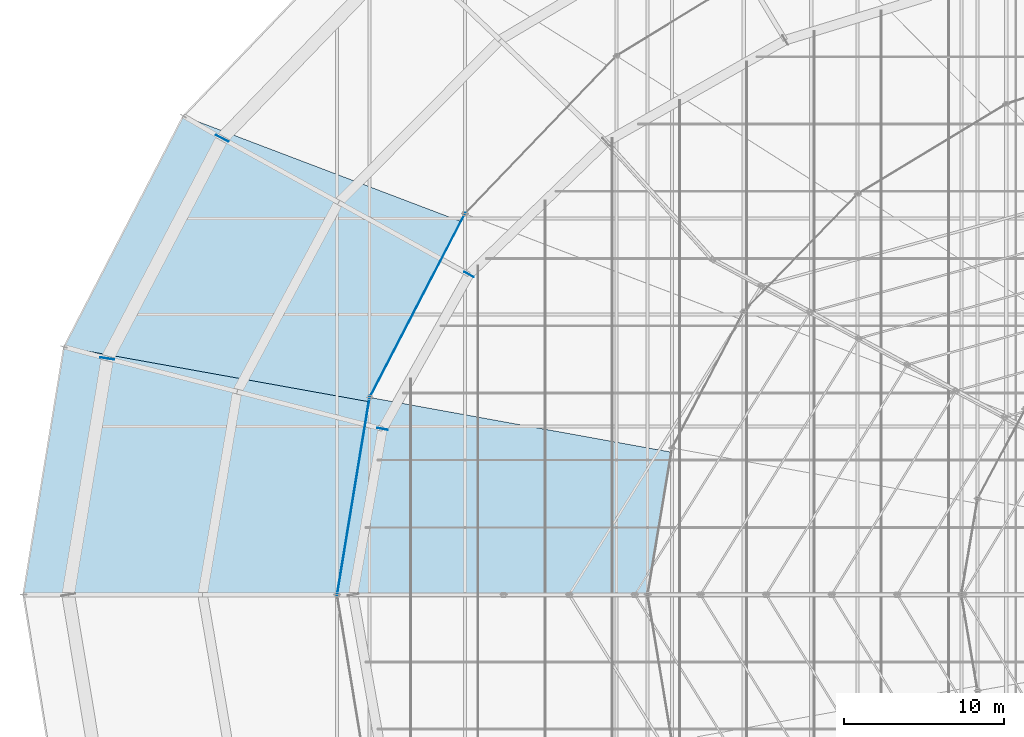
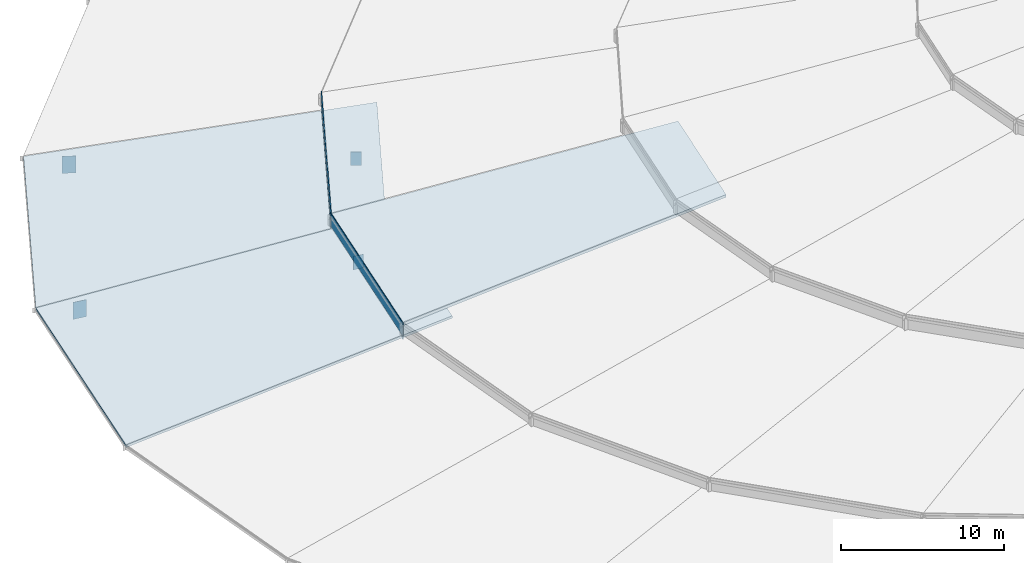
# One storey, part 146 of 184: 6 plates, 3 slabs.
"""IFC4 building model written with IfcOpenShell, lengths in metres."""

from ifc_helpers import new_model, si_unit, direction, frame, origin, origin_2d, place, context, subcontext, project, spatial, polyline, rectangle, outline, extrude, material, layer, layer_set, type_object, element, save


model = new_model("IFC4")

# Units and contexts
model_context = context("Model", 3, precision=1e-05, world=origin(), true_north=direction((0.0, 1.0)))
body_context = subcontext(model_context, "Body", "Model", "MODEL_VIEW")
ifc_project = project(units=[si_unit("LENGTHUNIT", "METRE"), si_unit("AREAUNIT", "SQUARE_METRE"), si_unit("VOLUMEUNIT", "CUBIC_METRE"), si_unit("PLANEANGLEUNIT", "RADIAN"), si_unit("MASSUNIT", "GRAM", prefix="KILO")], contexts=[model_context])

# Site, building, storey
site_placement = place(None, origin())
site = spatial("IfcSite", under=ifc_project, at=site_placement, CompositionType="ELEMENT")
building_placement = place(site_placement, origin())
building = spatial("IfcBuilding", under=site, at=building_placement, Name="Kalgoora Escarpment Arena", CompositionType="ELEMENT")
storey_placement = place(building_placement, frame((0.0, 0.0, 27.60009765625)))
storey = spatial("IfcBuildingStorey", under=building, at=storey_placement, Name="Roof Level", CompositionType="ELEMENT", Elevation=27.60009765625)

# Plates
ifc_material_1 = material(Name="Low-E double-glazed petal clerestory glass", Category="glass")
ifc_layer_1 = layer(ifc_material_1, 0.035888671875)
ifc_layer_set_1 = layer_set([ifc_layer_1], Name="PLT-PETAL-CLERESTORY")
plate_type_1 = type_object("IfcPlateType", Name="PLT-PETAL-CLERESTORY", PredefinedType="USERDEFINED", material=ifc_layer_set_1)
plate_1_placement = place(storey_placement, frame((42.40771484375, 82.059814453125, 0.260009765625), z_axis=(0.0, 0.0, 1.0), x_axis=(-0.46035473079, -0.8877350516, 0.0)))
element("IfcPlate", 1, at=plate_1_placement, inside=storey, type_object=plate_type_1, Name="Petal RP2 glazed clerestory collar panel S11", ObjectType="CLERESTORY PANEL", PredefinedType="USERDEFINED", context=body_context, shape_type="SweptSolid", body=[
    extrude(rectangle(XDim=13.12646484375, YDim=0.0400390625, at=origin_2d()), origin(), (0.0, 0.0, 1.0), 1.25),
])
plate_2_placement = place(storey_placement, frame((38.415283203125, 70.159912109375, 0.260009765625), z_axis=(0.0, 0.0, 1.0), x_axis=(-0.162637165195, -0.986685944208, 0.0)))
element("IfcPlate", 2, at=plate_2_placement, inside=storey, type_object=plate_type_1, Name="Petal RP2 glazed clerestory collar panel S12", ObjectType="CLERESTORY PANEL", PredefinedType="USERDEFINED", context=body_context, shape_type="SweptSolid", body=[
    extrude(rectangle(XDim=12.67333984375, YDim=0.0400390625, at=origin_2d()), origin(), (0.0, 0.0, 1.0), 1.25),
])
ifc_material_2 = material(Name="Structural steel Grade 350 (350 MPa)", Category="steel")
ifc_layer_2 = layer(ifc_material_2, 0.031982421875)
ifc_layer_set_2 = layer_set([ifc_layer_2], Name="PLT-RING-DIAPH")
plate_type_2 = type_object("IfcPlateType", Name="PLT-RING-DIAPH", PredefinedType="USERDEFINED", material=ifc_layer_set_2)
plate_3_placement = place(storey_placement, frame((30.219482421875, 92.5, -2.09033203125), z_axis=(0.0, 0.0, 1.0), x_axis=(-0.462522500293, -0.8866075438, 0.0)))
element("IfcPlate", 3, at=plate_3_placement, inside=storey, type_object=plate_type_2, Name="Compression ring node diaphragm plate 11", ObjectType="FLANGE PLATE", PredefinedType="USERDEFINED", context=body_context, shape_type="SweptSolid", body=[
    extrude(rectangle(XDim=0.031982421875, YDim=0.8798828125, at=origin_2d()), origin(), (0.0, 0.0, 1.0), 1.280029296875),
])
plate_4_placement = place(storey_placement, frame((45.634521484375, 84.0, -1.760009765625), z_axis=(0.0, 0.0, 1.0), x_axis=(-0.488012005351, -0.872836916401, 0.0)))
element("IfcPlate", 4, at=plate_4_placement, inside=storey, type_object=plate_type_2, Name="Inner ring node diaphragm plate 11", ObjectType="FLANGE PLATE", PredefinedType="USERDEFINED", context=body_context, shape_type="SweptSolid", body=[
    extrude(rectangle(XDim=0.031982421875, YDim=0.679931640625, at=origin_2d()), origin(), (0.0, 0.0, 1.0), 1.02001953125),
])
plate_5_placement = place(storey_placement, frame((23.04638671875, 78.752685546875, -2.09033203125), z_axis=(0.0, 0.0, 1.0), x_axis=(-0.163670330935, -0.986515089987, 0.0)))
element("IfcPlate", 5, at=plate_5_placement, inside=storey, type_object=plate_type_2, Name="Compression ring node diaphragm plate 12", ObjectType="FLANGE PLATE", PredefinedType="USERDEFINED", context=body_context, shape_type="SweptSolid", body=[
    extrude(rectangle(XDim=0.031982421875, YDim=0.8798828125, at=origin_2d()), origin(), (0.0, 0.0, 1.0), 1.280029296875),
])
plate_6_placement = place(storey_placement, frame((40.239990234375, 74.352783203125, -1.760009765625), z_axis=(0.0, 0.0, 1.0), x_axis=(-0.175023058975, -0.984564334529, 0.0)))
element("IfcPlate", 6, at=plate_6_placement, inside=storey, type_object=plate_type_2, Name="Inner ring node diaphragm plate 12", ObjectType="FLANGE PLATE", PredefinedType="USERDEFINED", context=body_context, shape_type="SweptSolid", body=[
    extrude(rectangle(XDim=0.031982421875, YDim=0.679931640625, at=origin_2d()), origin(), (0.0, 0.0, 1.0), 1.02001953125),
])

# Slabs
ifc_material_3 = material(Name="White acoustic composite Concrete N40 (fc' 40 MPa)", Category="concrete")
ifc_layer_3 = layer(ifc_material_3, 0.179931640625)
ifc_layer_set_3 = layer_set([ifc_layer_3], Name="SLB-PETAL-RP1")
slab_type_1 = type_object("IfcSlabType", Name="SLB-PETAL-RP1", PredefinedType="ROOF", material=ifc_layer_set_3)
slab_1_placement = place(storey_placement, frame((27.79443359375, 93.89990234375, -0.840087890625), z_axis=(-0.064954242694, 0.033563603552, 0.997323633969), x_axis=(-0.459066519017, -0.888401897295, -3.4995e-07)))
element("IfcSlab", 7, at=slab_1_placement, inside=storey, type_object=slab_type_1, Name="Shifted white roof petal RP1 sector 11", PredefinedType="ROOF", context=body_context, shape_type="SweptSolid", body=[
    extrude(outline(polyline([(0.0, 0.0), (16.234327793510644, 8.881784197001252e-16), (9.51262587303169, 21.861820413439347), (-2.498874818851738, 21.88505965232504), (0.0, 0.0)])), origin(), (0.0, 0.0, -1.0), 0.179931640625),
])
slab_2_placement = place(storey_placement, frame((20.341796875, 79.477294921875, -0.840087890625), z_axis=(-0.069040134142, 0.01133405748, 0.997549497027), x_axis=(-0.162053311131, -0.986782004465, -3.948055e-06)))
element("IfcSlab", 8, at=slab_2_placement, inside=storey, type_object=slab_type_1, Name="Shifted white roof petal RP1 sector 12", PredefinedType="ROOF", context=body_context, shape_type="SweptSolid", body=[
    extrude(outline(polyline([(0.0, 0.0), (15.684614793760069, -4.440892098500626e-16), (11.939578614855577, 22.86041237698562), (0.34518393792103114, 22.869341545081326), (0.0, 0.0)])), origin(), (0.0, 0.0, -1.0), 0.179931640625),
])
ifc_material_4 = material(Name="White acoustic composite Concrete N40 (fc' 40 MPa)", Category="concrete")
ifc_layer_4 = layer(ifc_material_4, 0.205078125)
ifc_layer_set_4 = layer_set([ifc_layer_4], Name="SLB-PETAL-RP2")
slab_type_2 = type_object("IfcSlabType", Name="SLB-PETAL-RP2", PredefinedType="ROOF", material=ifc_layer_set_4)
slab_3_placement = place(storey_placement, frame((39.430908203125, 76.31982421875, 1.449951171875), z_axis=(-0.069603734139, 0.01147608227, 0.997508706593), x_axis=(-0.162661258977, -0.986681972485, 1.415993e-06)))
element("IfcSlab", 9, at=slab_3_placement, inside=storey, type_object=slab_type_2, Name="Shifted white roof petal RP2 sector 12", PredefinedType="ROOF", context=body_context, shape_type="SweptSolid", body=[
    extrude(outline(polyline([(0.0, 0.0), (12.486114430894844, 2.220446049250313e-16), (8.759521835563495, 22.66149584420064), (0.36258874941853364, 22.679219291761623), (0.0, 0.0)])), origin(), (0.0, 0.0, -1.0), 0.205078125),
])

save(model, "model.ifc")
